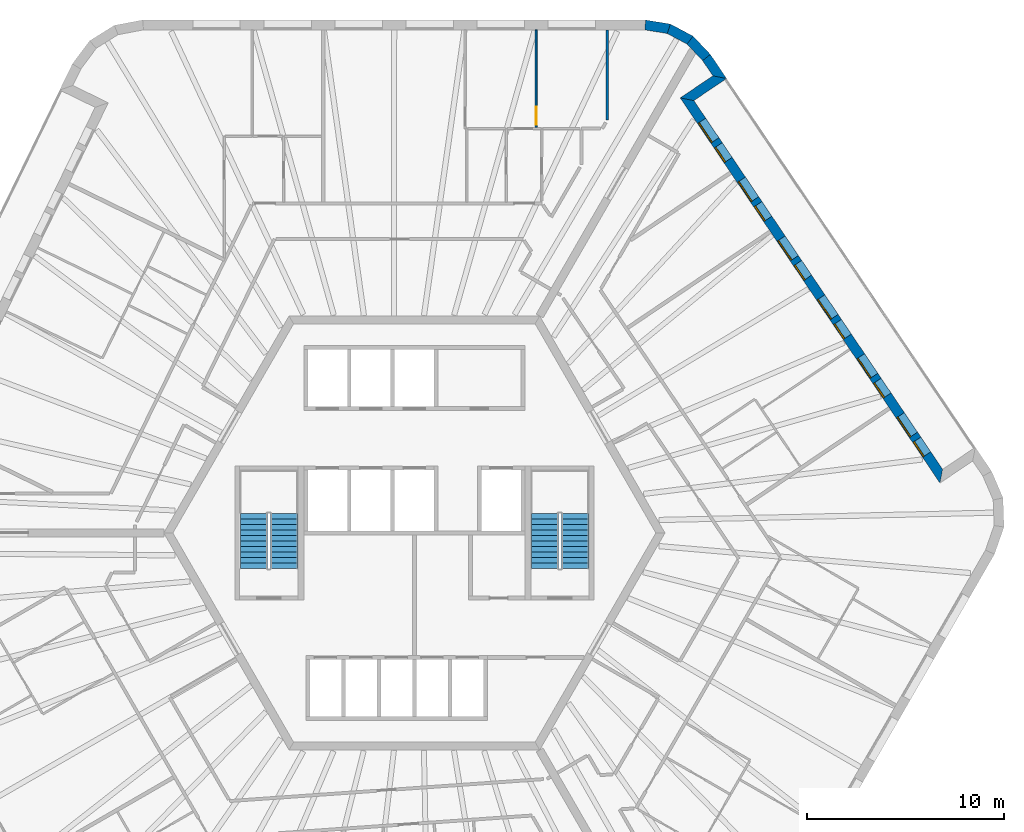
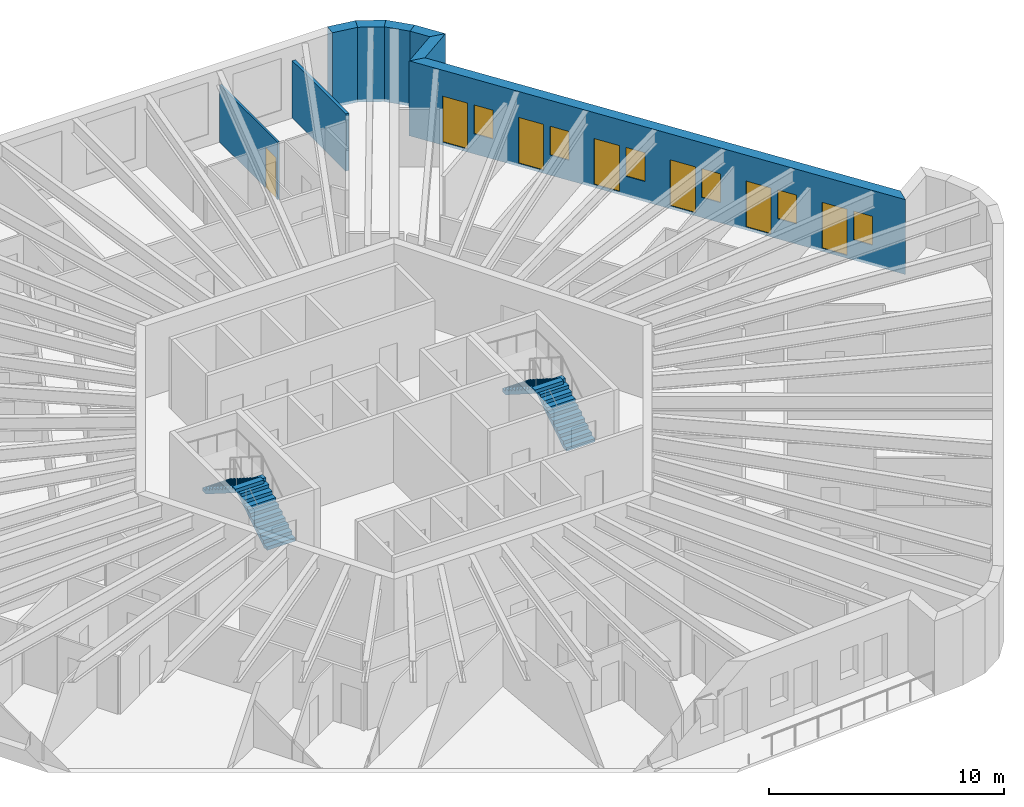
# One storey, part 11 of 12: 8 walls, 7 doors, 6 windows, 4 stair flights, 13 openings, 2 elements without a shape of their own.
"""IFC4 building model written with IfcOpenShell, lengths in metres."""

from ifc_helpers import new_model, si_unit, direction, frame, frame_2d, origin, place, context, subcontext, project, spatial, polyline, rectangle, outline, extrude, material, layer, layer_set, type_object, element, fill, aggregate, save


model = new_model("IFC4")

# Units and contexts
model_context = context("Model", 3, precision=1e-05, world=origin(), true_north=direction((0.0, 1.0)))
body_context = subcontext(model_context, "Body", "Model", "MODEL_VIEW")
ifc_project = project(units=[si_unit("LENGTHUNIT", "METRE"), si_unit("AREAUNIT", "SQUARE_METRE"), si_unit("VOLUMEUNIT", "CUBIC_METRE"), si_unit("PLANEANGLEUNIT", "RADIAN"), si_unit("MASSUNIT", "GRAM", prefix="KILO")], contexts=[model_context])

# Site, building, storey
site_placement = place(None, origin())
site = spatial("IfcSite", under=ifc_project, at=site_placement, CompositionType="ELEMENT")
building_placement = place(site_placement, origin())
building = spatial("IfcBuilding", under=site, at=building_placement, Name="Tarnside Tower", CompositionType="ELEMENT")
storey_placement = place(building_placement, frame((0.0, 0.0, 318.60009765625)))
storey = spatial("IfcBuildingStorey", under=building, at=storey_placement, Name="L77", CompositionType="ELEMENT", Elevation=318.60009765625)

# Wall
ifc_material_1 = material(Name="Gypsum board partition on steel studs", Category="steel")
ifc_layer_1 = layer(ifc_material_1, 0.14990234375)
ifc_layer_set_1 = layer_set([ifc_layer_1], Name="Corridor wall 150 EI 60")
wall_type_1 = type_object("IfcWallType", Name="Corridor wall 150 EI 60", PredefinedType="PARTITIONING", material=ifc_layer_set_1)
wall_1_placement = place(storey_placement, frame((9.775146484375, 25.5, 0.0), z_axis=(0.0, 0.0, 1.0), x_axis=(0.0, -1.0, 0.0)))
element("IfcWall", 1, at=wall_1_placement, inside=storey, type_object=wall_type_1, Name="Corridor wall 25004", PredefinedType="PARTITIONING", context=body_context, shape_type="SweptSolid", body=[
    extrude(rectangle(XDim=4.56884765625, YDim=0.14990234375, at=frame_2d((2.284423828125, 0.0))), origin(), (0.0, 0.0, 1.0), 2.98779296875),
])

# Wall, openings, doors, windows
ifc_material_2 = material(Name="Dark zinc cladding")
ifc_layer_2 = layer(ifc_material_2, 0.10205078125)
ifc_material_3 = material(Name="Concrete C60/75 precast", Category="concrete")
ifc_layer_3 = layer(ifc_material_3, 0.298095703125)
ifc_material_4 = material(Name="Mineral wool insulation")
ifc_layer_4 = layer(ifc_material_4, 0.10009765625)
ifc_layer_set_2 = layer_set([ifc_layer_2, ifc_layer_3, ifc_layer_4], Name="Loggia wall 500 zinc faced")
wall_type_2 = type_object("IfcWallType", Name="Loggia wall 500 zinc faced", PredefinedType="SOLIDWALL", material=ifc_layer_set_2)
wall_2_placement = place(storey_placement, frame((26.705810546875, 2.87890625, -0.150146484375), z_axis=(0.0, 0.0, 1.0), x_axis=(-0.559197891507, 0.829034208061, 0.0)))
wall_2 = element("IfcWall", 2, at=wall_2_placement, inside=storey, type_object=wall_type_2, Name="Tube wall L77 F6 back 30", PredefinedType="SOLIDWALL", context=body_context, shape_type="SweptSolid", body=[
    extrude(outline(polyline([(0.25, -0.25), (22.794677734375, -0.25), (23.294677734375, 0.25), (-0.25, 0.25), (0.25, -0.25)])), origin(), (0.0, 0.0, 1.0), 3.900146484375),
])
opening_1_placement = place(wall_2_placement, frame((1.322509765625, 0.0, 1.050048828125)))
opening_1 = element("IfcOpeningElement", 3, at=opening_1_placement, cuts=wall_2, Name="Opening WL500", PredefinedType="OPENING", context=body_context, shape_type="SweptSolid", body=[
    extrude(rectangle(XDim=0.89990234375, YDim=1.5, at=frame_2d((0.449951171875, 0.75))), frame((0.0, 0.260009765625, 0.0), z_axis=(0.0, -1.0, 0.0), x_axis=(1.0, 0.0, 0.0)), (0.0, 0.0, 1.0), 0.52001953125),
])
opening_2_placement = place(wall_2_placement, frame((2.5224609375, 0.0, 0.14990234375)))
opening_2 = element("IfcOpeningElement", 4, at=opening_2_placement, cuts=wall_2, Name="Opening DB500", PredefinedType="OPENING", context=body_context, shape_type="SweptSolid", body=[
    extrude(rectangle(XDim=1.199951171875, YDim=2.39990234375, at=frame_2d((0.60009765625, 1.199951171875))), frame((0.0, 0.260009765625, 0.0), z_axis=(0.0, -1.0, 0.0), x_axis=(1.0, 0.0, 0.0)), (0.0, 0.0, 1.0), 0.52001953125),
])
opening_3_placement = place(wall_2_placement, frame((4.92236328125, 0.0, 1.050048828125)))
opening_3 = element("IfcOpeningElement", 5, at=opening_3_placement, cuts=wall_2, Name="Opening WL500", PredefinedType="OPENING", context=body_context, shape_type="SweptSolid", body=[
    extrude(rectangle(XDim=0.89990234375, YDim=1.5, at=frame_2d((0.449951171875, 0.75))), frame((0.0, 0.260009765625, 0.0), z_axis=(0.0, -1.0, 0.0), x_axis=(1.0, 0.0, 0.0)), (0.0, 0.0, 1.0), 0.52001953125),
])
opening_4_placement = place(wall_2_placement, frame((6.122314453125, 0.0, 0.14990234375)))
opening_4 = element("IfcOpeningElement", 6, at=opening_4_placement, cuts=wall_2, Name="Opening DB500", PredefinedType="OPENING", context=body_context, shape_type="SweptSolid", body=[
    extrude(rectangle(XDim=1.199951171875, YDim=2.39990234375, at=frame_2d((0.60009765625, 1.199951171875))), frame((0.0, 0.260009765625, 0.0), z_axis=(0.0, -1.0, 0.0), x_axis=(1.0, 0.0, 0.0)), (0.0, 0.0, 1.0), 0.52001953125),
])
opening_5_placement = place(wall_2_placement, frame((8.5224609375, 0.0, 1.050048828125)))
opening_5 = element("IfcOpeningElement", 7, at=opening_5_placement, cuts=wall_2, Name="Opening WL500", PredefinedType="OPENING", context=body_context, shape_type="SweptSolid", body=[
    extrude(rectangle(XDim=0.89990234375, YDim=1.5, at=frame_2d((0.449951171875, 0.75))), frame((0.0, 0.260009765625, 0.0), z_axis=(0.0, -1.0, 0.0), x_axis=(1.0, 0.0, 0.0)), (0.0, 0.0, 1.0), 0.52001953125),
])
opening_6_placement = place(wall_2_placement, frame((9.722412109375, 0.0, 0.14990234375)))
opening_6 = element("IfcOpeningElement", 8, at=opening_6_placement, cuts=wall_2, Name="Opening DB500", PredefinedType="OPENING", context=body_context, shape_type="SweptSolid", body=[
    extrude(rectangle(XDim=1.199951171875, YDim=2.39990234375, at=frame_2d((0.60009765625, 1.199951171875))), frame((0.0, 0.260009765625, 0.0), z_axis=(0.0, -1.0, 0.0), x_axis=(1.0, 0.0, 0.0)), (0.0, 0.0, 1.0), 0.52001953125),
])
opening_7_placement = place(wall_2_placement, frame((12.122314453125, 0.0, 1.050048828125)))
opening_7 = element("IfcOpeningElement", 9, at=opening_7_placement, cuts=wall_2, Name="Opening WL500", PredefinedType="OPENING", context=body_context, shape_type="SweptSolid", body=[
    extrude(rectangle(XDim=0.89990234375, YDim=1.5, at=frame_2d((0.449951171875, 0.75))), frame((0.0, 0.260009765625, 0.0), z_axis=(0.0, -1.0, 0.0), x_axis=(1.0, 0.0, 0.0)), (0.0, 0.0, 1.0), 0.52001953125),
])
opening_8_placement = place(wall_2_placement, frame((13.322509765625, 0.0, 0.14990234375)))
opening_8 = element("IfcOpeningElement", 10, at=opening_8_placement, cuts=wall_2, Name="Opening DB500", PredefinedType="OPENING", context=body_context, shape_type="SweptSolid", body=[
    extrude(rectangle(XDim=1.199951171875, YDim=2.39990234375, at=frame_2d((0.60009765625, 1.199951171875))), frame((0.0, 0.260009765625, 0.0), z_axis=(0.0, -1.0, 0.0), x_axis=(1.0, 0.0, 0.0)), (0.0, 0.0, 1.0), 0.52001953125),
])
opening_9_placement = place(wall_2_placement, frame((15.722412109375, 0.0, 1.050048828125)))
opening_9 = element("IfcOpeningElement", 11, at=opening_9_placement, cuts=wall_2, Name="Opening WL500", PredefinedType="OPENING", context=body_context, shape_type="SweptSolid", body=[
    extrude(rectangle(XDim=0.89990234375, YDim=1.5, at=frame_2d((0.449951171875, 0.75))), frame((0.0, 0.260009765625, 0.0), z_axis=(0.0, -1.0, 0.0), x_axis=(1.0, 0.0, 0.0)), (0.0, 0.0, 1.0), 0.52001953125),
])
opening_10_placement = place(wall_2_placement, frame((16.92236328125, 0.0, 0.14990234375)))
opening_10 = element("IfcOpeningElement", 12, at=opening_10_placement, cuts=wall_2, Name="Opening DB500", PredefinedType="OPENING", context=body_context, shape_type="SweptSolid", body=[
    extrude(rectangle(XDim=1.199951171875, YDim=2.39990234375, at=frame_2d((0.60009765625, 1.199951171875))), frame((0.0, 0.260009765625, 0.0), z_axis=(0.0, -1.0, 0.0), x_axis=(1.0, 0.0, 0.0)), (0.0, 0.0, 1.0), 0.52001953125),
])
opening_11_placement = place(wall_2_placement, frame((19.322509765625, 0.0, 1.050048828125)))
opening_11 = element("IfcOpeningElement", 13, at=opening_11_placement, cuts=wall_2, Name="Opening WL500", PredefinedType="OPENING", context=body_context, shape_type="SweptSolid", body=[
    extrude(rectangle(XDim=0.89990234375, YDim=1.5, at=frame_2d((0.449951171875, 0.75))), frame((0.0, 0.260009765625, 0.0), z_axis=(0.0, -1.0, 0.0), x_axis=(1.0, 0.0, 0.0)), (0.0, 0.0, 1.0), 0.52001953125),
])
opening_12_placement = place(wall_2_placement, frame((20.5224609375, 0.0, 0.14990234375)))
opening_12 = element("IfcOpeningElement", 14, at=opening_12_placement, cuts=wall_2, Name="Opening DB500", PredefinedType="OPENING", context=body_context, shape_type="SweptSolid", body=[
    extrude(rectangle(XDim=1.199951171875, YDim=2.39990234375, at=frame_2d((0.60009765625, 1.199951171875))), frame((0.0, 0.260009765625, 0.0), z_axis=(0.0, -1.0, 0.0), x_axis=(1.0, 0.0, 0.0)), (0.0, 0.0, 1.0), 0.52001953125),
])
ifc_material_5 = material(Name="Aluminium-framed double glazing", Category="aluminium")
door_type_1 = type_object("IfcDoorType", Name="Balcony sliding door 1200 x 2400 in 500 wall", OperationType="SLIDING_TO_LEFT", PredefinedType="DOOR", material=ifc_material_5)
door_1_placement = place(opening_2_placement, frame((0.0, 0.1748046875, 0.0)))
door_1 = element("IfcDoor", 15, at=door_1_placement, inside=storey, type_object=door_type_1, Name="E.BD.L77.F6.00", OperationType="SLIDING_TO_LEFT", OverallHeight=2.39990234375, OverallWidth=1.199951171875, PredefinedType="DOOR", context=body_context, shape_type="SweptSolid", body=[
    extrude(rectangle(XDim=1.199951171875, YDim=2.39990234375, at=frame_2d((0.60009765625, 1.199951171875))), frame((0.0, 0.02490234375, 0.0), z_axis=(0.0, -1.0, 0.0), x_axis=(1.0, 0.0, 0.0)), (0.0, 0.0, 1.0), 0.050048828125),
])
fill(opening_2, door_1)
door_2_placement = place(opening_4_placement, frame((0.0, 0.1748046875, 0.0)))
door_2 = element("IfcDoor", 16, at=door_2_placement, inside=storey, type_object=door_type_1, Name="E.BD.L77.F6.01", OperationType="SLIDING_TO_LEFT", OverallHeight=2.39990234375, OverallWidth=1.199951171875, PredefinedType="DOOR", context=body_context, shape_type="SweptSolid", body=[
    extrude(rectangle(XDim=1.199951171875, YDim=2.39990234375, at=frame_2d((0.60009765625, 1.199951171875))), frame((0.0, 0.02490234375, 0.0), z_axis=(0.0, -1.0, 0.0), x_axis=(1.0, 0.0, 0.0)), (0.0, 0.0, 1.0), 0.050048828125),
])
fill(opening_4, door_2)
door_3_placement = place(opening_6_placement, frame((0.0, 0.1748046875, 0.0)))
door_3 = element("IfcDoor", 17, at=door_3_placement, inside=storey, type_object=door_type_1, Name="E.BD.L77.F6.02", OperationType="SLIDING_TO_LEFT", OverallHeight=2.39990234375, OverallWidth=1.199951171875, PredefinedType="DOOR", context=body_context, shape_type="SweptSolid", body=[
    extrude(rectangle(XDim=1.199951171875, YDim=2.39990234375, at=frame_2d((0.60009765625, 1.199951171875))), frame((0.0, 0.02490234375, 0.0), z_axis=(0.0, -1.0, 0.0), x_axis=(1.0, 0.0, 0.0)), (0.0, 0.0, 1.0), 0.050048828125),
])
fill(opening_6, door_3)
door_4_placement = place(opening_8_placement, frame((0.0, 0.1748046875, 0.0)))
door_4 = element("IfcDoor", 18, at=door_4_placement, inside=storey, type_object=door_type_1, Name="E.BD.L77.F6.03", OperationType="SLIDING_TO_LEFT", OverallHeight=2.39990234375, OverallWidth=1.199951171875, PredefinedType="DOOR", context=body_context, shape_type="SweptSolid", body=[
    extrude(rectangle(XDim=1.199951171875, YDim=2.39990234375, at=frame_2d((0.60009765625, 1.199951171875))), frame((0.0, 0.02490234375, 0.0), z_axis=(0.0, -1.0, 0.0), x_axis=(1.0, 0.0, 0.0)), (0.0, 0.0, 1.0), 0.050048828125),
])
fill(opening_8, door_4)
door_5_placement = place(opening_10_placement, frame((0.0, 0.1748046875, 0.0)))
door_5 = element("IfcDoor", 19, at=door_5_placement, inside=storey, type_object=door_type_1, Name="E.BD.L77.F6.04", OperationType="SLIDING_TO_LEFT", OverallHeight=2.39990234375, OverallWidth=1.199951171875, PredefinedType="DOOR", context=body_context, shape_type="SweptSolid", body=[
    extrude(rectangle(XDim=1.199951171875, YDim=2.39990234375, at=frame_2d((0.60009765625, 1.199951171875))), frame((0.0, 0.02490234375, 0.0), z_axis=(0.0, -1.0, 0.0), x_axis=(1.0, 0.0, 0.0)), (0.0, 0.0, 1.0), 0.050048828125),
])
fill(opening_10, door_5)
door_6_placement = place(opening_12_placement, frame((0.0, 0.1748046875, 0.0)))
door_6 = element("IfcDoor", 20, at=door_6_placement, inside=storey, type_object=door_type_1, Name="E.BD.L77.F6.05", OperationType="SLIDING_TO_LEFT", OverallHeight=2.39990234375, OverallWidth=1.199951171875, PredefinedType="DOOR", context=body_context, shape_type="SweptSolid", body=[
    extrude(rectangle(XDim=1.199951171875, YDim=2.39990234375, at=frame_2d((0.60009765625, 1.199951171875))), frame((0.0, 0.02490234375, 0.0), z_axis=(0.0, -1.0, 0.0), x_axis=(1.0, 0.0, 0.0)), (0.0, 0.0, 1.0), 0.050048828125),
])
fill(opening_12, door_6)
window_type = type_object("IfcWindowType", Name="Loggia window 900 x 1500 in 500 wall", PartitioningType="SINGLE_PANEL", PredefinedType="WINDOW", material=ifc_material_5)
window_1_placement = place(opening_1_placement, frame((0.0, 0.179931640625, 0.0)))
window_1 = element("IfcWindow", 21, at=window_1_placement, inside=storey, type_object=window_type, Name="E.LW.L77.F6.00", OverallHeight=1.5, OverallWidth=0.89990234375, PartitioningType="SINGLE_PANEL", PredefinedType="WINDOW", context=body_context, shape_type="SweptSolid", body=[
    extrude(rectangle(XDim=0.89990234375, YDim=1.5, at=frame_2d((0.449951171875, 0.75))), frame((0.0, 0.030029296875, 0.0), z_axis=(0.0, -1.0, 0.0), x_axis=(1.0, 0.0, 0.0)), (0.0, 0.0, 1.0), 0.06005859375),
])
fill(opening_1, window_1)
window_2_placement = place(opening_3_placement, frame((0.0, 0.179931640625, 0.0)))
window_2 = element("IfcWindow", 22, at=window_2_placement, inside=storey, type_object=window_type, Name="E.LW.L77.F6.01", OverallHeight=1.5, OverallWidth=0.89990234375, PartitioningType="SINGLE_PANEL", PredefinedType="WINDOW", context=body_context, shape_type="SweptSolid", body=[
    extrude(rectangle(XDim=0.89990234375, YDim=1.5, at=frame_2d((0.449951171875, 0.75))), frame((0.0, 0.030029296875, 0.0), z_axis=(0.0, -1.0, 0.0), x_axis=(1.0, 0.0, 0.0)), (0.0, 0.0, 1.0), 0.06005859375),
])
fill(opening_3, window_2)
window_3_placement = place(opening_5_placement, frame((0.0, 0.179931640625, 0.0)))
window_3 = element("IfcWindow", 23, at=window_3_placement, inside=storey, type_object=window_type, Name="E.LW.L77.F6.02", OverallHeight=1.5, OverallWidth=0.89990234375, PartitioningType="SINGLE_PANEL", PredefinedType="WINDOW", context=body_context, shape_type="SweptSolid", body=[
    extrude(rectangle(XDim=0.89990234375, YDim=1.5, at=frame_2d((0.449951171875, 0.75))), frame((0.0, 0.030029296875, 0.0), z_axis=(0.0, -1.0, 0.0), x_axis=(1.0, 0.0, 0.0)), (0.0, 0.0, 1.0), 0.06005859375),
])
fill(opening_5, window_3)
window_4_placement = place(opening_7_placement, frame((0.0, 0.179931640625, 0.0)))
window_4 = element("IfcWindow", 24, at=window_4_placement, inside=storey, type_object=window_type, Name="E.LW.L77.F6.03", OverallHeight=1.5, OverallWidth=0.89990234375, PartitioningType="SINGLE_PANEL", PredefinedType="WINDOW", context=body_context, shape_type="SweptSolid", body=[
    extrude(rectangle(XDim=0.89990234375, YDim=1.5, at=frame_2d((0.449951171875, 0.75))), frame((0.0, 0.030029296875, 0.0), z_axis=(0.0, -1.0, 0.0), x_axis=(1.0, 0.0, 0.0)), (0.0, 0.0, 1.0), 0.06005859375),
])
fill(opening_7, window_4)
window_5_placement = place(opening_9_placement, frame((0.0, 0.179931640625, 0.0)))
window_5 = element("IfcWindow", 25, at=window_5_placement, inside=storey, type_object=window_type, Name="E.LW.L77.F6.04", OverallHeight=1.5, OverallWidth=0.89990234375, PartitioningType="SINGLE_PANEL", PredefinedType="WINDOW", context=body_context, shape_type="SweptSolid", body=[
    extrude(rectangle(XDim=0.89990234375, YDim=1.5, at=frame_2d((0.449951171875, 0.75))), frame((0.0, 0.030029296875, 0.0), z_axis=(0.0, -1.0, 0.0), x_axis=(1.0, 0.0, 0.0)), (0.0, 0.0, 1.0), 0.06005859375),
])
fill(opening_9, window_5)
window_6_placement = place(opening_11_placement, frame((0.0, 0.179931640625, 0.0)))
window_6 = element("IfcWindow", 26, at=window_6_placement, inside=storey, type_object=window_type, Name="E.LW.L77.F6.05", OverallHeight=1.5, OverallWidth=0.89990234375, PartitioningType="SINGLE_PANEL", PredefinedType="WINDOW", context=body_context, shape_type="SweptSolid", body=[
    extrude(rectangle(XDim=0.89990234375, YDim=1.5, at=frame_2d((0.449951171875, 0.75))), frame((0.0, 0.030029296875, 0.0), z_axis=(0.0, -1.0, 0.0), x_axis=(1.0, 0.0, 0.0)), (0.0, 0.0, 1.0), 0.06005859375),
])
fill(opening_11, window_6)

# Walls
wall_3_placement = place(storey_placement, frame((13.8193359375, 21.983642578125, -0.150146484375), z_axis=(0.0, 0.0, 1.0), x_axis=(0.829052389485, 0.559170935841, 0.0)))
element("IfcWall", 27, at=wall_3_placement, inside=storey, type_object=wall_type_2, Name="Tube wall L77 F6 return 31", PredefinedType="SOLIDWALL", context=body_context, shape_type="SweptSolid", body=[
    extrude(outline(polyline([(0.25, -0.25), (2.25, -0.25), (1.75, 0.25), (-0.25, 0.25), (0.25, -0.25)])), origin(), (0.0, 0.0, 1.0), 3.900146484375),
])
wall_4_placement = place(storey_placement, frame((15.4775390625, 23.10205078125, -0.150146484375), z_axis=(0.0, 0.0, 1.0), x_axis=(-0.559245726333, 0.829001940636, 0.0)))
element("IfcWall", 28, at=wall_4_placement, inside=storey, type_object=wall_type_2, Name="Tube wall L77 F6 stub 32", PredefinedType="SOLIDWALL", context=body_context, shape_type="SweptSolid", body=[
    extrude(outline(polyline([(-0.25, -0.25), (1.220703125, -0.25), (1.1796875, 0.25), (0.25, 0.25), (-0.25, -0.25)])), origin(), (0.0, 0.0, 1.0), 3.900146484375),
])

# Wall, opening, door
ifc_layer_5 = layer(ifc_material_1, 0.10009765625)
ifc_layer_set_3 = layer_set([ifc_layer_5], Name="Partition 100")
wall_type_3 = type_object("IfcWallType", Name="Partition 100", PredefinedType="PARTITIONING", material=ifc_layer_set_3)
wall_5_placement = place(storey_placement, frame((6.17529296875, 25.5, 0.0), z_axis=(0.0, 0.0, 1.0), x_axis=(0.0, -1.0, 0.0)))
wall_5 = element("IfcWall", 29, at=wall_5_placement, inside=storey, type_object=wall_type_3, Name="Partition wall 25094", PredefinedType="PARTITIONING", context=body_context, shape_type="SweptSolid", body=[
    extrude(rectangle(XDim=4.949951171875, YDim=0.10009765625, at=frame_2d((2.47509765625, 0.0))), origin(), (0.0, 0.0, 1.0), 2.98779296875),
])
opening_13_placement = place(wall_5_placement, frame((3.89990234375, 0.0, 0.0)))
opening_13 = element("IfcOpeningElement", 30, at=opening_13_placement, cuts=wall_5, Name="Opening D-I1", PredefinedType="OPENING", context=body_context, shape_type="SweptSolid", body=[
    extrude(rectangle(XDim=0.89990234375, YDim=2.10009765625, at=frame_2d((0.449951171875, 1.050048828125))), frame((0.0, 0.06005859375, 0.0), z_axis=(0.0, -1.0, 0.0), x_axis=(1.0, 0.0, 0.0)), (0.0, 0.0, 1.0), 0.1201171875),
])
ifc_material_6 = material(Name="Timber door leaf", Category="wood")
door_type_2 = type_object("IfcDoorType", Name="Internal door 900", OperationType="NOTDEFINED", PredefinedType="DOOR", material=ifc_material_6)
door_7_placement = place(opening_13_placement, origin())
door_7 = element("IfcDoor", 31, at=door_7_placement, inside=storey, type_object=door_type_2, Name="Internal door 25008", OperationType="SINGLE_SWING_RIGHT", OverallHeight=2.10009765625, OverallWidth=0.89990234375, PredefinedType="DOOR", context=body_context, shape_type="SweptSolid", body=[
    extrude(rectangle(XDim=0.89990234375, YDim=2.10009765625, at=frame_2d((0.449951171875, 1.050048828125))), frame((0.0, 0.02490234375, 0.0), z_axis=(0.0, -1.0, 0.0), x_axis=(1.0, 0.0, 0.0)), (0.0, 0.0, 1.0), 0.050048828125),
])
fill(opening_13, door_7)

# Walls
ifc_material_7 = material(Name="Facing brick", Category="masonry")
ifc_layer_6 = layer(ifc_material_7, 0.10205078125)
ifc_layer_7 = layer(ifc_material_3, 0.298095703125)
ifc_layer_8 = layer(ifc_material_4, 0.10009765625)
ifc_layer_set_4 = layer_set([ifc_layer_6, ifc_layer_7, ifc_layer_8], Name="Tube wall 500 brick faced")
wall_type_4 = type_object("IfcWallType", Name="Tube wall 500 brick faced", PredefinedType="SOLIDWALL", material=ifc_layer_set_4)
wall_6_placement = place(storey_placement, frame((14.806396484375, 24.096923828125, -0.150146484375), z_axis=(0.0, 0.0, 1.0), x_axis=(-0.686234452793, 0.727380420275, 0.0)))
element("IfcWall", 32, at=wall_6_placement, inside=storey, type_object=wall_type_4, Name="Tube wall L77 F6 chord 33", PredefinedType="SOLIDWALL", context=body_context, shape_type="SweptSolid", body=[
    extrude(outline(polyline([(-0.0205078125, -0.25), (1.25732421875, -0.25), (1.17529296875, 0.25), (0.0205078125, 0.25), (-0.0205078125, -0.25)])), origin(), (0.0, 0.0, 1.0), 3.900146484375),
])
wall_7_placement = place(storey_placement, frame((13.9716796875, 24.981689453125, -0.150146484375), z_axis=(0.0, 0.0, 1.0), x_axis=(-0.882902492938, 0.469556373575, 0.0)))
element("IfcWall", 33, at=wall_7_placement, inside=storey, type_object=wall_type_4, Name="Tube wall L77 F6 chord 34", PredefinedType="SOLIDWALL", context=body_context, shape_type="SweptSolid", body=[
    extrude(outline(polyline([(-0.041015625, -0.25), (1.257080078125, -0.25), (1.175048828125, 0.25), (0.041015625, 0.25), (-0.041015625, -0.25)])), origin(), (0.0, 0.0, 1.0), 3.900146484375),
])
wall_8_placement = place(storey_placement, frame((12.89794921875, 25.552734375, -0.150146484375), z_axis=(0.0, 0.0, 1.0), x_axis=(-0.986765617372, 0.16215306464, 0.0)))
element("IfcWall", 34, at=wall_8_placement, inside=storey, type_object=wall_type_4, Name="Tube wall L77 F6 chord 35", PredefinedType="SOLIDWALL", context=body_context, shape_type="SweptSolid", body=[
    extrude(outline(polyline([(-0.041015625, -0.25), (1.237060546875, -0.25), (1.196044921875, 0.25), (0.041015625, 0.25), (-0.041015625, -0.25)])), origin(), (0.0, 0.0, 1.0), 3.900146484375),
])

# Stair, stair flights
ifc_material_8 = material(Name="Concrete C40/50", Category="concrete")
stair_type = type_object("IfcStairType", Name="Exit stair 1400 clear", PredefinedType="HALF_TURN_STAIR", material=ifc_material_8)
stair_1_placement = place(storey_placement, origin())
stair_1 = element("IfcStair", 35, at=stair_1_placement, inside=storey, type_object=stair_type, Name="L77 Exit stair 1", PredefinedType="HALF_TURN_STAIR")
stair_flight_type = type_object("IfcStairFlightType", Name="Exit stair flight 1400", PredefinedType="STRAIGHT", material=ifc_material_8)
stair_flight_1_placement = place(storey_placement, frame((8.14990234375, -1.800048828125, 0.0), z_axis=(0.0, 0.0, 1.0), x_axis=(0.0, 1.0, 0.0)))
stair_flight_1 = element("IfcStairFlight", 36, at=stair_flight_1_placement, type_object=stair_flight_type, Name="ST1 flight 1", NumberOfRisers=11, NumberOfTreads=10, PredefinedType="STRAIGHT", RiserHeight=0.177272727, TreadLength=0.28, context=body_context, shape_type="SweptSolid", body=[
    extrude(outline(polyline([(0.0, 0.0), (0.0, 0.17724609375), (0.280029296875, 0.17724609375), (0.280029296875, 0.3544921875), (0.56005859375, 0.3544921875), (0.56005859375, 0.53173828125), (0.840087890625, 0.53173828125), (0.840087890625, 0.708984375), (1.1201171875, 0.708984375), (1.1201171875, 0.886474609375), (1.39990234375, 0.886474609375), (1.39990234375, 1.063720703125), (1.679931640625, 1.063720703125), (1.679931640625, 1.240966796875), (1.9599609375, 1.240966796875), (1.9599609375, 1.418212890625), (2.239990234375, 1.418212890625), (2.239990234375, 1.595458984375), (2.52001953125, 1.595458984375), (2.52001953125, 1.772705078125), (2.800048828125, 1.772705078125), (2.800048828125, 1.949951171875), (2.800048828125, 1.59521484375), (0.2802734375, 0.0), (0.0, 0.0)])), frame((0.0, 0.699951171875, 0.0), z_axis=(0.0, -1.0, 0.0), x_axis=(1.0, 0.0, 0.0)), (0.0, 0.0, 1.0), 1.39990234375),
])
stair_flight_2_placement = place(storey_placement, frame((6.60009765625, 1.0, 1.949951171875), z_axis=(0.0, 0.0, 1.0), x_axis=(0.0, -1.0, 0.0)))
stair_flight_2 = element("IfcStairFlight", 37, at=stair_flight_2_placement, type_object=stair_flight_type, Name="ST1 flight 2", NumberOfRisers=11, NumberOfTreads=10, PredefinedType="STRAIGHT", RiserHeight=0.177272727, TreadLength=0.28, context=body_context, shape_type="SweptSolid", body=[
    extrude(outline(polyline([(0.0, 0.0), (0.0, 0.17724609375), (0.280029296875, 0.17724609375), (0.280029296875, 0.3544921875), (0.56005859375, 0.3544921875), (0.56005859375, 0.53173828125), (0.840087890625, 0.53173828125), (0.840087890625, 0.708984375), (1.1201171875, 0.708984375), (1.1201171875, 0.886474609375), (1.39990234375, 0.886474609375), (1.39990234375, 1.063720703125), (1.679931640625, 1.063720703125), (1.679931640625, 1.240966796875), (1.9599609375, 1.240966796875), (1.9599609375, 1.418212890625), (2.239990234375, 1.418212890625), (2.239990234375, 1.595458984375), (2.52001953125, 1.595458984375), (2.52001953125, 1.772705078125), (2.800048828125, 1.772705078125), (2.800048828125, 1.949951171875), (2.800048828125, 1.59521484375), (0.2802734375, 0.0), (0.0, 0.0)])), frame((0.0, 0.699951171875, 0.0), z_axis=(0.0, -1.0, 0.0), x_axis=(1.0, 0.0, 0.0)), (0.0, 0.0, 1.0), 1.39990234375),
])
aggregate(stair_1, [stair_flight_1, stair_flight_2])

stair_2_placement = place(storey_placement, origin())
stair_2 = element("IfcStair", 38, at=stair_2_placement, inside=storey, type_object=stair_type, Name="L77 Exit stair 2", PredefinedType="HALF_TURN_STAIR")
stair_flight_3_placement = place(storey_placement, frame((-6.60009765625, -1.800048828125, 0.0), z_axis=(0.0, 0.0, 1.0), x_axis=(0.0, 1.0, 0.0)))
stair_flight_3 = element("IfcStairFlight", 39, at=stair_flight_3_placement, type_object=stair_flight_type, Name="ST2 flight 1", NumberOfRisers=11, NumberOfTreads=10, PredefinedType="STRAIGHT", RiserHeight=0.177272727, TreadLength=0.28, context=body_context, shape_type="SweptSolid", body=[
    extrude(outline(polyline([(0.0, 0.0), (0.0, 0.17724609375), (0.280029296875, 0.17724609375), (0.280029296875, 0.3544921875), (0.56005859375, 0.3544921875), (0.56005859375, 0.53173828125), (0.840087890625, 0.53173828125), (0.840087890625, 0.708984375), (1.1201171875, 0.708984375), (1.1201171875, 0.886474609375), (1.39990234375, 0.886474609375), (1.39990234375, 1.063720703125), (1.679931640625, 1.063720703125), (1.679931640625, 1.240966796875), (1.9599609375, 1.240966796875), (1.9599609375, 1.418212890625), (2.239990234375, 1.418212890625), (2.239990234375, 1.595458984375), (2.52001953125, 1.595458984375), (2.52001953125, 1.772705078125), (2.800048828125, 1.772705078125), (2.800048828125, 1.949951171875), (2.800048828125, 1.59521484375), (0.2802734375, 0.0), (0.0, 0.0)])), frame((0.0, 0.699951171875, 0.0), z_axis=(0.0, -1.0, 0.0), x_axis=(1.0, 0.0, 0.0)), (0.0, 0.0, 1.0), 1.39990234375),
])
stair_flight_4_placement = place(storey_placement, frame((-8.14990234375, 1.0, 1.949951171875), z_axis=(0.0, 0.0, 1.0), x_axis=(0.0, -1.0, 0.0)))
stair_flight_4 = element("IfcStairFlight", 40, at=stair_flight_4_placement, type_object=stair_flight_type, Name="ST2 flight 2", NumberOfRisers=11, NumberOfTreads=10, PredefinedType="STRAIGHT", RiserHeight=0.177272727, TreadLength=0.28, context=body_context, shape_type="SweptSolid", body=[
    extrude(outline(polyline([(0.0, 0.0), (0.0, 0.17724609375), (0.280029296875, 0.17724609375), (0.280029296875, 0.3544921875), (0.56005859375, 0.3544921875), (0.56005859375, 0.53173828125), (0.840087890625, 0.53173828125), (0.840087890625, 0.708984375), (1.1201171875, 0.708984375), (1.1201171875, 0.886474609375), (1.39990234375, 0.886474609375), (1.39990234375, 1.063720703125), (1.679931640625, 1.063720703125), (1.679931640625, 1.240966796875), (1.9599609375, 1.240966796875), (1.9599609375, 1.418212890625), (2.239990234375, 1.418212890625), (2.239990234375, 1.595458984375), (2.52001953125, 1.595458984375), (2.52001953125, 1.772705078125), (2.800048828125, 1.772705078125), (2.800048828125, 1.949951171875), (2.800048828125, 1.59521484375), (0.2802734375, 0.0), (0.0, 0.0)])), frame((0.0, 0.699951171875, 0.0), z_axis=(0.0, -1.0, 0.0), x_axis=(1.0, 0.0, 0.0)), (0.0, 0.0, 1.0), 1.39990234375),
])
aggregate(stair_2, [stair_flight_3, stair_flight_4])

save(model, "model.ifc")
